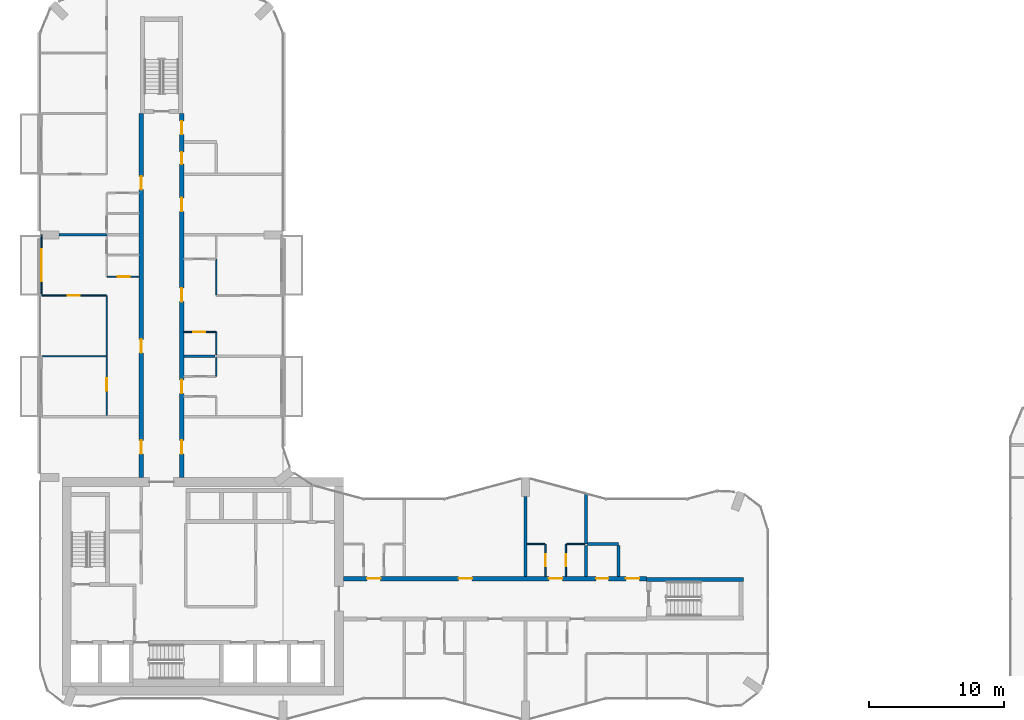
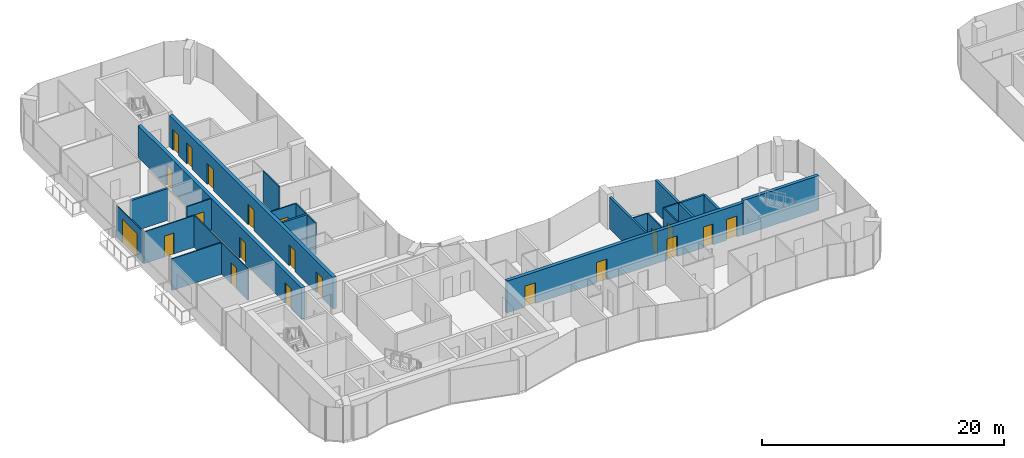
# One storey, part 13 of 19: 24 walls, 21 doors, 21 openings.
"""IFC4 building model written with IfcOpenShell, lengths in metres."""

from ifc_helpers import new_model, si_unit, direction, frame, frame_2d, origin, place, context, subcontext, project, spatial, rectangle, extrude, material, layer, layer_set, type_object, element, fill, save


model = new_model("IFC4")

# Units and contexts
model_context = context("Model", 3, precision=1e-05, world=origin(), true_north=direction((0.0, 1.0)))
body_context = subcontext(model_context, "Body", "Model", "MODEL_VIEW")
ifc_project = project(units=[si_unit("LENGTHUNIT", "METRE"), si_unit("AREAUNIT", "SQUARE_METRE"), si_unit("VOLUMEUNIT", "CUBIC_METRE"), si_unit("PLANEANGLEUNIT", "RADIAN"), si_unit("MASSUNIT", "GRAM", prefix="KILO")], contexts=[model_context])

# Site, building, storey
site_placement = place(None, origin())
site = spatial("IfcSite", under=ifc_project, at=site_placement, CompositionType="ELEMENT")
building_placement = place(site_placement, origin())
building = spatial("IfcBuilding", under=site, at=building_placement, Name="Plateau Cross Towers", CompositionType="ELEMENT")
storey_placement = place(building_placement, frame((0.0, 0.0, 120.300048828125)))
storey = spatial("IfcBuildingStorey", under=building, at=storey_placement, Name="L31", CompositionType="ELEMENT", Elevation=120.300048828125)

# Wall, opening, door
ifc_material_1 = material(Name="Aluminium framed glazing", Category="aluminium")
ifc_layer_1 = layer(ifc_material_1, 0.10009765625)
ifc_layer_set_1 = layer_set([ifc_layer_1], Name="Aluminium framed glazing")
wall_type_1 = type_object("IfcWallType", Name="Balcony screen wall 100", PredefinedType="STANDARD", material=ifc_layer_set_1)
wall_1_placement = place(storey_placement, frame((0.10009765625, 31.5, 0.0), z_axis=(0.0, 0.0, 1.0), x_axis=(0.0, 1.0, 0.0)))
wall_1 = element("IfcWall", 1, at=wall_1_placement, inside=storey, type_object=wall_type_1, Name="Balcony screen wall A-BAL-L31-02", PredefinedType="STANDARD", context=body_context, shape_type="SweptSolid", body=[
    extrude(rectangle(XDim=4.5, YDim=0.10009765625, at=frame_2d((2.25, 0.0))), origin(), (0.0, 0.0, 1.0), 3.199951171875),
])
opening_1_placement = place(wall_1_placement, frame((1.050048828125, 0.0, 0.0)))
opening_1 = element("IfcOpeningElement", 2, at=opening_1_placement, cuts=wall_1, Name="Opening D-B24", PredefinedType="OPENING", context=body_context, shape_type="SweptSolid", body=[
    extrude(rectangle(XDim=2.39990234375, YDim=2.39990234375, at=frame_2d((1.199951171875, 1.199951171875))), frame((0.0, 0.06005859375, 0.0), z_axis=(0.0, -1.0, 0.0), x_axis=(1.0, 0.0, 0.0)), (0.0, 0.0, 1.0), 0.1201171875),
])
ifc_material_2 = material(Name="Aluminium frame, double glazing", Category="aluminium")
door_type_1 = type_object("IfcDoorType", Name="Balcony sliding door 2400", OperationType="NOTDEFINED", PredefinedType="DOOR", material=ifc_material_2)
door_1_placement = place(opening_1_placement, origin())
door_1 = element("IfcDoor", 3, at=door_1_placement, inside=storey, type_object=door_type_1, Name="Balcony door A-BAL-L31-02", OperationType="SINGLE_SWING_LEFT", OverallHeight=2.39990234375, OverallWidth=2.39990234375, PredefinedType="DOOR", context=body_context, shape_type="SweptSolid", body=[
    extrude(rectangle(XDim=2.39990234375, YDim=2.39990234375, at=frame_2d((1.199951171875, 1.199951171875))), frame((0.0, 0.02490234375, 0.0), z_axis=(0.0, -1.0, 0.0), x_axis=(1.0, 0.0, 0.0)), (0.0, 0.0, 1.0), 0.050048828125),
])
fill(opening_1, door_1)

# Wall, openings, doors
ifc_material_3 = material(Name="Concrete C60/75", Category="concrete")
ifc_layer_2 = layer(ifc_material_3, 0.324951171875)
ifc_layer_set_2 = layer_set([ifc_layer_2], Name="Concrete C60/75")
wall_type_2 = type_object("IfcWallType", Name="Corridor wall 325", PredefinedType="SHEAR", material=ifc_layer_set_2)
wall_2_placement = place(storey_placement, frame((22.5, 10.5, 0.0), z_axis=(0.0, 0.0, 1.0), x_axis=(1.0, 0.0, 0.0)))
wall_2 = element("IfcWall", 4, at=wall_2_placement, inside=storey, type_object=wall_type_2, Name="A-cw-S2@L31", PredefinedType="SHEAR", context=body_context, shape_type="SweptSolid", body=[
    extrude(rectangle(XDim=22.5, YDim=0.324951171875, at=frame_2d((11.25, 0.0))), origin(), (0.0, 0.0, 1.0), 3.199951171875),
])
opening_2_placement = place(wall_2_placement, frame((1.75, 0.0, 0.0)))
opening_2 = element("IfcOpeningElement", 5, at=opening_2_placement, cuts=wall_2, Name="Opening 31-05", PredefinedType="OPENING", context=body_context, shape_type="SweptSolid", body=[
    extrude(rectangle(XDim=1.0, YDim=2.10009765625, at=frame_2d((0.5, 1.050048828125))), frame((0.0, 0.17236328125, 0.0), z_axis=(0.0, -1.0, 0.0), x_axis=(1.0, 0.0, 0.0)), (0.0, 0.0, 1.0), 0.344970703125),
])
opening_3_placement = place(wall_2_placement, frame((8.550048828125, 0.0, 0.0)))
opening_3 = element("IfcOpeningElement", 6, at=opening_3_placement, cuts=wall_2, Name="Opening 31-06", PredefinedType="OPENING", context=body_context, shape_type="SweptSolid", body=[
    extrude(rectangle(XDim=1.0, YDim=2.10009765625, at=frame_2d((0.5, 1.050048828125))), frame((0.0, 0.17236328125, 0.0), z_axis=(0.0, -1.0, 0.0), x_axis=(1.0, 0.0, 0.0)), (0.0, 0.0, 1.0), 0.344970703125),
])
opening_4_placement = place(wall_2_placement, frame((15.25, 0.0, 0.0)))
opening_4 = element("IfcOpeningElement", 7, at=opening_4_placement, cuts=wall_2, Name="Opening 31-07", PredefinedType="OPENING", context=body_context, shape_type="SweptSolid", body=[
    extrude(rectangle(XDim=1.0, YDim=2.10009765625, at=frame_2d((0.5, 1.050048828125))), frame((0.0, 0.17236328125, 0.0), z_axis=(0.0, -1.0, 0.0), x_axis=(1.0, 0.0, 0.0)), (0.0, 0.0, 1.0), 0.344970703125),
])
opening_5_placement = place(wall_2_placement, frame((18.75, 0.0, 0.0)))
opening_5 = element("IfcOpeningElement", 8, at=opening_5_placement, cuts=wall_2, Name="Opening 31-08", PredefinedType="OPENING", context=body_context, shape_type="SweptSolid", body=[
    extrude(rectangle(XDim=0.89990234375, YDim=2.10009765625, at=frame_2d((0.449951171875, 1.050048828125))), frame((0.0, 0.17236328125, 0.0), z_axis=(0.0, -1.0, 0.0), x_axis=(1.0, 0.0, 0.0)), (0.0, 0.0, 1.0), 0.344970703125),
])
opening_6_placement = place(wall_2_placement, frame((20.949951171875, 0.0, 0.0)))
opening_6 = element("IfcOpeningElement", 9, at=opening_6_placement, cuts=wall_2, Name="Opening 31-09", PredefinedType="OPENING", context=body_context, shape_type="SweptSolid", body=[
    extrude(rectangle(XDim=1.0, YDim=2.10009765625, at=frame_2d((0.5, 1.050048828125))), frame((0.0, 0.17236328125, 0.0), z_axis=(0.0, -1.0, 0.0), x_axis=(1.0, 0.0, 0.0)), (0.0, 0.0, 1.0), 0.344970703125),
])
ifc_material_4 = material(Name="Timber, fire-resisting leaf", Category="wood")
door_type_2 = type_object("IfcDoorType", Name="Flat entrance door 1000", OperationType="NOTDEFINED", PredefinedType="DOOR", material=ifc_material_4)
door_2_placement = place(opening_2_placement, origin())
door_2 = element("IfcDoor", 10, at=door_2_placement, inside=storey, type_object=door_type_2, Name="Door 31-05", OperationType="SINGLE_SWING_LEFT", OverallHeight=2.10009765625, OverallWidth=1.0, PredefinedType="DOOR", context=body_context, shape_type="SweptSolid", body=[
    extrude(rectangle(XDim=1.0, YDim=2.10009765625, at=frame_2d((0.5, 1.050048828125))), frame((0.0, 0.02490234375, 0.0), z_axis=(0.0, -1.0, 0.0), x_axis=(1.0, 0.0, 0.0)), (0.0, 0.0, 1.0), 0.050048828125),
])
fill(opening_2, door_2)
door_3_placement = place(opening_3_placement, origin())
door_3 = element("IfcDoor", 11, at=door_3_placement, inside=storey, type_object=door_type_2, Name="Door 31-06", OperationType="SINGLE_SWING_LEFT", OverallHeight=2.10009765625, OverallWidth=1.0, PredefinedType="DOOR", context=body_context, shape_type="SweptSolid", body=[
    extrude(rectangle(XDim=1.0, YDim=2.10009765625, at=frame_2d((0.5, 1.050048828125))), frame((0.0, 0.02490234375, 0.0), z_axis=(0.0, -1.0, 0.0), x_axis=(1.0, 0.0, 0.0)), (0.0, 0.0, 1.0), 0.050048828125),
])
fill(opening_3, door_3)
door_4_placement = place(opening_4_placement, origin())
door_4 = element("IfcDoor", 12, at=door_4_placement, inside=storey, type_object=door_type_2, Name="Door 31-07", OperationType="SINGLE_SWING_RIGHT", OverallHeight=2.10009765625, OverallWidth=1.0, PredefinedType="DOOR", context=body_context, shape_type="SweptSolid", body=[
    extrude(rectangle(XDim=1.0, YDim=2.10009765625, at=frame_2d((0.5, 1.050048828125))), frame((0.0, 0.02490234375, 0.0), z_axis=(0.0, -1.0, 0.0), x_axis=(1.0, 0.0, 0.0)), (0.0, 0.0, 1.0), 0.050048828125),
])
fill(opening_4, door_4)
door_5_placement = place(opening_6_placement, origin())
door_5 = element("IfcDoor", 13, at=door_5_placement, inside=storey, type_object=door_type_2, Name="Door 31-09", OperationType="SINGLE_SWING_RIGHT", OverallHeight=2.10009765625, OverallWidth=1.0, PredefinedType="DOOR", context=body_context, shape_type="SweptSolid", body=[
    extrude(rectangle(XDim=1.0, YDim=2.10009765625, at=frame_2d((0.5, 1.050048828125))), frame((0.0, 0.02490234375, 0.0), z_axis=(0.0, -1.0, 0.0), x_axis=(1.0, 0.0, 0.0)), (0.0, 0.0, 1.0), 0.050048828125),
])
fill(opening_6, door_5)
door_type_3 = type_object("IfcDoorType", Name="Flat floor service door 900", OperationType="NOTDEFINED", PredefinedType="DOOR", material=ifc_material_4)
door_6_placement = place(opening_5_placement, origin())
door_6 = element("IfcDoor", 14, at=door_6_placement, inside=storey, type_object=door_type_3, Name="Door 31-08", OperationType="SINGLE_SWING_RIGHT", OverallHeight=2.10009765625, OverallWidth=0.89990234375, PredefinedType="DOOR", context=body_context, shape_type="SweptSolid", body=[
    extrude(rectangle(XDim=0.89990234375, YDim=2.10009765625, at=frame_2d((0.449951171875, 1.050048828125))), frame((0.0, 0.02490234375, 0.0), z_axis=(0.0, -1.0, 0.0), x_axis=(1.0, 0.0, 0.0)), (0.0, 0.0, 1.0), 0.050048828125),
])
fill(opening_5, door_6)

wall_3_placement = place(storey_placement, frame((7.5, 18.0, 0.0), z_axis=(0.0, 0.0, 1.0), x_axis=(0.0, 1.0, 0.0)))
wall_3 = element("IfcWall", 15, at=wall_3_placement, inside=storey, type_object=wall_type_2, Name="A-cw-W1@L31", PredefinedType="SHEAR", context=body_context, shape_type="SweptSolid", body=[
    extrude(rectangle(XDim=27.0, YDim=0.324951171875, at=frame_2d((13.5, 0.0))), origin(), (0.0, 0.0, 1.0), 3.199951171875),
])
opening_7_placement = place(wall_3_placement, frame((1.75, 0.0, 0.0)))
opening_7 = element("IfcOpeningElement", 16, at=opening_7_placement, cuts=wall_3, Name="Opening 31-10", PredefinedType="OPENING", context=body_context, shape_type="SweptSolid", body=[
    extrude(rectangle(XDim=1.0, YDim=2.10009765625, at=frame_2d((0.5, 1.050048828125))), frame((0.0, 0.17236328125, 0.0), z_axis=(0.0, -1.0, 0.0), x_axis=(1.0, 0.0, 0.0)), (0.0, 0.0, 1.0), 0.344970703125),
])
opening_8_placement = place(wall_3_placement, frame((9.25, 0.0, 0.0)))
opening_8 = element("IfcOpeningElement", 17, at=opening_8_placement, cuts=wall_3, Name="Opening 31-11", PredefinedType="OPENING", context=body_context, shape_type="SweptSolid", body=[
    extrude(rectangle(XDim=1.0, YDim=2.10009765625, at=frame_2d((0.5, 1.050048828125))), frame((0.0, 0.17236328125, 0.0), z_axis=(0.0, -1.0, 0.0), x_axis=(1.0, 0.0, 0.0)), (0.0, 0.0, 1.0), 0.344970703125),
])
opening_9_placement = place(wall_3_placement, frame((21.35009765625, 0.0, 0.0)))
opening_9 = element("IfcOpeningElement", 18, at=opening_9_placement, cuts=wall_3, Name="Opening 31-12", PredefinedType="OPENING", context=body_context, shape_type="SweptSolid", body=[
    extrude(rectangle(XDim=1.0, YDim=2.10009765625, at=frame_2d((0.5, 1.050048828125))), frame((0.0, 0.17236328125, 0.0), z_axis=(0.0, -1.0, 0.0), x_axis=(1.0, 0.0, 0.0)), (0.0, 0.0, 1.0), 0.344970703125),
])
door_7_placement = place(opening_7_placement, origin())
door_7 = element("IfcDoor", 19, at=door_7_placement, inside=storey, type_object=door_type_2, Name="Door 31-10", OperationType="SINGLE_SWING_LEFT", OverallHeight=2.10009765625, OverallWidth=1.0, PredefinedType="DOOR", context=body_context, shape_type="SweptSolid", body=[
    extrude(rectangle(XDim=1.0, YDim=2.10009765625, at=frame_2d((0.5, 1.050048828125))), frame((0.0, 0.02490234375, 0.0), z_axis=(0.0, -1.0, 0.0), x_axis=(1.0, 0.0, 0.0)), (0.0, 0.0, 1.0), 0.050048828125),
])
fill(opening_7, door_7)
door_8_placement = place(opening_8_placement, origin())
door_8 = element("IfcDoor", 20, at=door_8_placement, inside=storey, type_object=door_type_2, Name="Door 31-11", OperationType="SINGLE_SWING_LEFT", OverallHeight=2.10009765625, OverallWidth=1.0, PredefinedType="DOOR", context=body_context, shape_type="SweptSolid", body=[
    extrude(rectangle(XDim=1.0, YDim=2.10009765625, at=frame_2d((0.5, 1.050048828125))), frame((0.0, 0.02490234375, 0.0), z_axis=(0.0, -1.0, 0.0), x_axis=(1.0, 0.0, 0.0)), (0.0, 0.0, 1.0), 0.050048828125),
])
fill(opening_8, door_8)
door_9_placement = place(opening_9_placement, origin())
door_9 = element("IfcDoor", 21, at=door_9_placement, inside=storey, type_object=door_type_2, Name="Door 31-12", OperationType="SINGLE_SWING_RIGHT", OverallHeight=2.10009765625, OverallWidth=1.0, PredefinedType="DOOR", context=body_context, shape_type="SweptSolid", body=[
    extrude(rectangle(XDim=1.0, YDim=2.10009765625, at=frame_2d((0.5, 1.050048828125))), frame((0.0, 0.02490234375, 0.0), z_axis=(0.0, -1.0, 0.0), x_axis=(1.0, 0.0, 0.0)), (0.0, 0.0, 1.0), 0.050048828125),
])
fill(opening_9, door_9)

wall_4_placement = place(storey_placement, frame((10.5, 18.0, 0.0), z_axis=(0.0, 0.0, 1.0), x_axis=(0.0, 1.0, 0.0)))
wall_4 = element("IfcWall", 22, at=wall_4_placement, inside=storey, type_object=wall_type_2, Name="A-cw-W2@L31", PredefinedType="SHEAR", context=body_context, shape_type="SweptSolid", body=[
    extrude(rectangle(XDim=27.0, YDim=0.324951171875, at=frame_2d((13.5, 0.0))), origin(), (0.0, 0.0, 1.0), 3.199951171875),
])
opening_10_placement = place(wall_4_placement, frame((1.75, 0.0, 0.0)))
opening_10 = element("IfcOpeningElement", 23, at=opening_10_placement, cuts=wall_4, Name="Opening 31-13", PredefinedType="OPENING", context=body_context, shape_type="SweptSolid", body=[
    extrude(rectangle(XDim=1.0, YDim=2.10009765625, at=frame_2d((0.5, 1.050048828125))), frame((0.0, 0.17236328125, 0.0), z_axis=(0.0, -1.0, 0.0), x_axis=(1.0, 0.0, 0.0)), (0.0, 0.0, 1.0), 0.344970703125),
])
opening_11_placement = place(wall_4_placement, frame((6.25, 0.0, 0.0)))
opening_11 = element("IfcOpeningElement", 24, at=opening_11_placement, cuts=wall_4, Name="Opening 31-14", PredefinedType="OPENING", context=body_context, shape_type="SweptSolid", body=[
    extrude(rectangle(XDim=1.0, YDim=2.10009765625, at=frame_2d((0.5, 1.050048828125))), frame((0.0, 0.17236328125, 0.0), z_axis=(0.0, -1.0, 0.0), x_axis=(1.0, 0.0, 0.0)), (0.0, 0.0, 1.0), 0.344970703125),
])
opening_12_placement = place(wall_4_placement, frame((13.050048828125, 0.0, 0.0)))
opening_12 = element("IfcOpeningElement", 25, at=opening_12_placement, cuts=wall_4, Name="Opening 31-15", PredefinedType="OPENING", context=body_context, shape_type="SweptSolid", body=[
    extrude(rectangle(XDim=1.0, YDim=2.10009765625, at=frame_2d((0.5, 1.050048828125))), frame((0.0, 0.17236328125, 0.0), z_axis=(0.0, -1.0, 0.0), x_axis=(1.0, 0.0, 0.0)), (0.0, 0.0, 1.0), 0.344970703125),
])
opening_13_placement = place(wall_4_placement, frame((19.75, 0.0, 0.0)))
opening_13 = element("IfcOpeningElement", 26, at=opening_13_placement, cuts=wall_4, Name="Opening 31-16", PredefinedType="OPENING", context=body_context, shape_type="SweptSolid", body=[
    extrude(rectangle(XDim=1.0, YDim=2.10009765625, at=frame_2d((0.5, 1.050048828125))), frame((0.0, 0.17236328125, 0.0), z_axis=(0.0, -1.0, 0.0), x_axis=(1.0, 0.0, 0.0)), (0.0, 0.0, 1.0), 0.344970703125),
])
opening_14_placement = place(wall_4_placement, frame((23.25, 0.0, 0.0)))
opening_14 = element("IfcOpeningElement", 27, at=opening_14_placement, cuts=wall_4, Name="Opening 31-17", PredefinedType="OPENING", context=body_context, shape_type="SweptSolid", body=[
    extrude(rectangle(XDim=0.89990234375, YDim=2.10009765625, at=frame_2d((0.449951171875, 1.050048828125))), frame((0.0, 0.17236328125, 0.0), z_axis=(0.0, -1.0, 0.0), x_axis=(1.0, 0.0, 0.0)), (0.0, 0.0, 1.0), 0.344970703125),
])
opening_15_placement = place(wall_4_placement, frame((25.449951171875, 0.0, 0.0)))
opening_15 = element("IfcOpeningElement", 28, at=opening_15_placement, cuts=wall_4, Name="Opening 31-18", PredefinedType="OPENING", context=body_context, shape_type="SweptSolid", body=[
    extrude(rectangle(XDim=1.0, YDim=2.10009765625, at=frame_2d((0.5, 1.050048828125))), frame((0.0, 0.17236328125, 0.0), z_axis=(0.0, -1.0, 0.0), x_axis=(1.0, 0.0, 0.0)), (0.0, 0.0, 1.0), 0.344970703125),
])
door_10_placement = place(opening_10_placement, origin())
door_10 = element("IfcDoor", 29, at=door_10_placement, inside=storey, type_object=door_type_2, Name="Door 31-13", OperationType="SINGLE_SWING_LEFT", OverallHeight=2.10009765625, OverallWidth=1.0, PredefinedType="DOOR", context=body_context, shape_type="SweptSolid", body=[
    extrude(rectangle(XDim=1.0, YDim=2.10009765625, at=frame_2d((0.5, 1.050048828125))), frame((0.0, 0.02490234375, 0.0), z_axis=(0.0, -1.0, 0.0), x_axis=(1.0, 0.0, 0.0)), (0.0, 0.0, 1.0), 0.050048828125),
])
fill(opening_10, door_10)
door_11_placement = place(opening_11_placement, origin())
door_11 = element("IfcDoor", 30, at=door_11_placement, inside=storey, type_object=door_type_2, Name="Door 31-14", OperationType="SINGLE_SWING_LEFT", OverallHeight=2.10009765625, OverallWidth=1.0, PredefinedType="DOOR", context=body_context, shape_type="SweptSolid", body=[
    extrude(rectangle(XDim=1.0, YDim=2.10009765625, at=frame_2d((0.5, 1.050048828125))), frame((0.0, 0.02490234375, 0.0), z_axis=(0.0, -1.0, 0.0), x_axis=(1.0, 0.0, 0.0)), (0.0, 0.0, 1.0), 0.050048828125),
])
fill(opening_11, door_11)
door_12_placement = place(opening_12_placement, origin())
door_12 = element("IfcDoor", 31, at=door_12_placement, inside=storey, type_object=door_type_2, Name="Door 31-15", OperationType="SINGLE_SWING_RIGHT", OverallHeight=2.10009765625, OverallWidth=1.0, PredefinedType="DOOR", context=body_context, shape_type="SweptSolid", body=[
    extrude(rectangle(XDim=1.0, YDim=2.10009765625, at=frame_2d((0.5, 1.050048828125))), frame((0.0, 0.02490234375, 0.0), z_axis=(0.0, -1.0, 0.0), x_axis=(1.0, 0.0, 0.0)), (0.0, 0.0, 1.0), 0.050048828125),
])
fill(opening_12, door_12)
door_13_placement = place(opening_13_placement, origin())
door_13 = element("IfcDoor", 32, at=door_13_placement, inside=storey, type_object=door_type_2, Name="Door 31-16", OperationType="SINGLE_SWING_RIGHT", OverallHeight=2.10009765625, OverallWidth=1.0, PredefinedType="DOOR", context=body_context, shape_type="SweptSolid", body=[
    extrude(rectangle(XDim=1.0, YDim=2.10009765625, at=frame_2d((0.5, 1.050048828125))), frame((0.0, 0.02490234375, 0.0), z_axis=(0.0, -1.0, 0.0), x_axis=(1.0, 0.0, 0.0)), (0.0, 0.0, 1.0), 0.050048828125),
])
fill(opening_13, door_13)
door_14_placement = place(opening_15_placement, origin())
door_14 = element("IfcDoor", 33, at=door_14_placement, inside=storey, type_object=door_type_2, Name="Door 31-18", OperationType="SINGLE_SWING_RIGHT", OverallHeight=2.10009765625, OverallWidth=1.0, PredefinedType="DOOR", context=body_context, shape_type="SweptSolid", body=[
    extrude(rectangle(XDim=1.0, YDim=2.10009765625, at=frame_2d((0.5, 1.050048828125))), frame((0.0, 0.02490234375, 0.0), z_axis=(0.0, -1.0, 0.0), x_axis=(1.0, 0.0, 0.0)), (0.0, 0.0, 1.0), 0.050048828125),
])
fill(opening_15, door_14)
door_15_placement = place(opening_14_placement, origin())
door_15 = element("IfcDoor", 34, at=door_15_placement, inside=storey, type_object=door_type_3, Name="Door 31-17", OperationType="SINGLE_SWING_RIGHT", OverallHeight=2.10009765625, OverallWidth=0.89990234375, PredefinedType="DOOR", context=body_context, shape_type="SweptSolid", body=[
    extrude(rectangle(XDim=0.89990234375, YDim=2.10009765625, at=frame_2d((0.449951171875, 1.050048828125))), frame((0.0, 0.02490234375, 0.0), z_axis=(0.0, -1.0, 0.0), x_axis=(1.0, 0.0, 0.0)), (0.0, 0.0, 1.0), 0.050048828125),
])
fill(opening_14, door_15)

# Walls
ifc_material_5 = material(Name="Gypsum board on steel studs", Category="steel")
ifc_layer_3 = layer(ifc_material_5, 0.10009765625)
ifc_layer_set_3 = layer_set([ifc_layer_3], Name="Gypsum board on steel studs")
wall_type_3 = type_object("IfcWallType", Name="Flat partition 100", PredefinedType="PARTITIONING", material=ifc_layer_set_3)
for number, where, z_axis, x_axis, name in (
    (35, (37.449951171875, 13.0625, 0.0), (0.0, 0.0, 1.0), (-1.0, 0.0, 0.0), "Partition wall"),
    (36, (40.39990234375, 13.0625, 0.0), (0.0, 0.0, 1.0), (-1.0, 0.0, 0.0), "Partition wall"),
):
    element("IfcWall", number, at=place(storey_placement, frame(where, z_axis=z_axis, x_axis=x_axis)), inside=storey, type_object=wall_type_3, Name=name, PredefinedType="PARTITIONING", context=body_context, shape_type="SweptSolid", body=[
        extrude(rectangle(XDim=1.349853515625, YDim=0.10009765625, at=frame_2d((0.6748046875, 0.0))), origin(), (0.0, 0.0, 1.0), 3.199951171875),
    ])
wall_5_placement = place(storey_placement, frame((4.887451171875, 27.0, 0.0), z_axis=(0.0, 0.0, 1.0), x_axis=(-1.0, 0.0, 0.0)))
element("IfcWall", 37, at=wall_5_placement, inside=storey, type_object=wall_type_3, Name="Partition wall", PredefinedType="PARTITIONING", context=body_context, shape_type="SweptSolid", body=[
    extrude(rectangle(XDim=4.737548828125, YDim=0.10009765625, at=frame_2d((2.36865234375, 0.0))), origin(), (0.0, 0.0, 1.0), 3.199951171875),
])

# Wall, opening, door
wall_6_placement = place(storey_placement, frame((13.012451171875, 28.800048828125, 0.0), z_axis=(0.0, 0.0, 1.0), x_axis=(-1.0, 0.0, 0.0)))
wall_6 = element("IfcWall", 38, at=wall_6_placement, inside=storey, type_object=wall_type_3, Name="Partition wall", PredefinedType="PARTITIONING", context=body_context, shape_type="SweptSolid", body=[
    extrude(rectangle(XDim=2.349853515625, YDim=0.10009765625, at=frame_2d((1.1748046875, 0.0))), origin(), (0.0, 0.0, 1.0), 3.199951171875),
])
opening_16_placement = place(wall_6_placement, frame((0.75, 0.0, 0.0)))
opening_16 = element("IfcOpeningElement", 39, at=opening_16_placement, cuts=wall_6, Name="Opening 31-41", PredefinedType="OPENING", context=body_context, shape_type="SweptSolid", body=[
    extrude(rectangle(XDim=0.89990234375, YDim=2.10009765625, at=frame_2d((0.449951171875, 1.050048828125))), frame((0.0, 0.06005859375, 0.0), z_axis=(0.0, -1.0, 0.0), x_axis=(1.0, 0.0, 0.0)), (0.0, 0.0, 1.0), 0.1201171875),
])
ifc_material_6 = material(Name="Timber leaf", Category="wood")
door_type_4 = type_object("IfcDoorType", Name="Flat room door 900", OperationType="NOTDEFINED", PredefinedType="DOOR", material=ifc_material_6)
door_16_placement = place(opening_16_placement, origin())
door_16 = element("IfcDoor", 40, at=door_16_placement, inside=storey, type_object=door_type_4, Name="Door 31-41", OperationType="SINGLE_SWING_RIGHT", OverallHeight=2.10009765625, OverallWidth=0.89990234375, PredefinedType="DOOR", context=body_context, shape_type="SweptSolid", body=[
    extrude(rectangle(XDim=0.89990234375, YDim=2.10009765625, at=frame_2d((0.449951171875, 1.050048828125))), frame((0.0, 0.02490234375, 0.0), z_axis=(0.0, -1.0, 0.0), x_axis=(1.0, 0.0, 0.0)), (0.0, 0.0, 1.0), 0.050048828125),
])
fill(opening_16, door_16)

wall_7_placement = place(storey_placement, frame((4.887451171875, 31.5, 0.0), z_axis=(0.0, 0.0, 1.0), x_axis=(-1.0, 0.0, 0.0)))
wall_7 = element("IfcWall", 41, at=wall_7_placement, inside=storey, type_object=wall_type_3, Name="Partition wall", PredefinedType="PARTITIONING", context=body_context, shape_type="SweptSolid", body=[
    extrude(rectangle(XDim=4.737548828125, YDim=0.10009765625, at=frame_2d((2.36865234375, 0.0))), origin(), (0.0, 0.0, 1.0), 3.199951171875),
])
opening_17_placement = place(wall_7_placement, frame((1.949951171875, 0.0, 0.0)))
opening_17 = element("IfcOpeningElement", 42, at=opening_17_placement, cuts=wall_7, Name="Opening 31-33", PredefinedType="OPENING", context=body_context, shape_type="SweptSolid", body=[
    extrude(rectangle(XDim=0.89990234375, YDim=2.10009765625, at=frame_2d((0.449951171875, 1.050048828125))), frame((0.0, 0.06005859375, 0.0), z_axis=(0.0, -1.0, 0.0), x_axis=(1.0, 0.0, 0.0)), (0.0, 0.0, 1.0), 0.1201171875),
])
door_17_placement = place(opening_17_placement, origin())
door_17 = element("IfcDoor", 43, at=door_17_placement, inside=storey, type_object=door_type_4, Name="Door 31-33", OperationType="SINGLE_SWING_RIGHT", OverallHeight=2.10009765625, OverallWidth=0.89990234375, PredefinedType="DOOR", context=body_context, shape_type="SweptSolid", body=[
    extrude(rectangle(XDim=0.89990234375, YDim=2.10009765625, at=frame_2d((0.449951171875, 1.050048828125))), frame((0.0, 0.02490234375, 0.0), z_axis=(0.0, -1.0, 0.0), x_axis=(1.0, 0.0, 0.0)), (0.0, 0.0, 1.0), 0.050048828125),
])
fill(opening_17, door_17)

wall_8_placement = place(storey_placement, frame((4.987548828125, 32.89990234375, 0.0), z_axis=(0.0, 0.0, 1.0), x_axis=(1.0, 0.0, 0.0)))
wall_8 = element("IfcWall", 44, at=wall_8_placement, inside=storey, type_object=wall_type_3, Name="Partition wall", PredefinedType="PARTITIONING", context=body_context, shape_type="SweptSolid", body=[
    extrude(rectangle(XDim=2.349853515625, YDim=0.10009765625, at=frame_2d((1.1748046875, 0.0))), origin(), (0.0, 0.0, 1.0), 3.199951171875),
])
opening_18_placement = place(wall_8_placement, frame((0.75, 0.0, 0.0)))
opening_18 = element("IfcOpeningElement", 45, at=opening_18_placement, cuts=wall_8, Name="Opening 31-30", PredefinedType="OPENING", context=body_context, shape_type="SweptSolid", body=[
    extrude(rectangle(XDim=0.89990234375, YDim=2.10009765625, at=frame_2d((0.449951171875, 1.050048828125))), frame((0.0, 0.06005859375, 0.0), z_axis=(0.0, -1.0, 0.0), x_axis=(1.0, 0.0, 0.0)), (0.0, 0.0, 1.0), 0.1201171875),
])
door_18_placement = place(opening_18_placement, origin())
door_18 = element("IfcDoor", 46, at=door_18_placement, inside=storey, type_object=door_type_4, Name="Door 31-30", OperationType="SINGLE_SWING_RIGHT", OverallHeight=2.10009765625, OverallWidth=0.89990234375, PredefinedType="DOOR", context=body_context, shape_type="SweptSolid", body=[
    extrude(rectangle(XDim=0.89990234375, YDim=2.10009765625, at=frame_2d((0.449951171875, 1.050048828125))), frame((0.0, 0.02490234375, 0.0), z_axis=(0.0, -1.0, 0.0), x_axis=(1.0, 0.0, 0.0)), (0.0, 0.0, 1.0), 0.050048828125),
])
fill(opening_18, door_18)

wall_9_placement = place(storey_placement, frame((4.9375, 22.60009765625, 0.0), z_axis=(0.0, 0.0, 1.0), x_axis=(0.0, 1.0, 0.0)))
wall_9 = element("IfcWall", 47, at=wall_9_placement, inside=storey, type_object=wall_type_3, Name="Partition wall", PredefinedType="PARTITIONING", context=body_context, shape_type="SweptSolid", body=[
    extrude(rectangle(XDim=8.89990234375, YDim=0.10009765625, at=frame_2d((4.449951171875, 0.0))), origin(), (0.0, 0.0, 1.0), 3.199951171875),
])
opening_19_placement = place(wall_9_placement, frame((1.85009765625, 0.0, 0.0)))
opening_19 = element("IfcOpeningElement", 48, at=opening_19_placement, cuts=wall_9, Name="Opening 31-32", PredefinedType="OPENING", context=body_context, shape_type="SweptSolid", body=[
    extrude(rectangle(XDim=0.89990234375, YDim=2.10009765625, at=frame_2d((0.449951171875, 1.050048828125))), frame((0.0, 0.06005859375, 0.0), z_axis=(0.0, -1.0, 0.0), x_axis=(1.0, 0.0, 0.0)), (0.0, 0.0, 1.0), 0.1201171875),
])
door_19_placement = place(opening_19_placement, origin())
door_19 = element("IfcDoor", 49, at=door_19_placement, inside=storey, type_object=door_type_4, Name="Door 31-32", OperationType="SINGLE_SWING_LEFT", OverallHeight=2.10009765625, OverallWidth=0.89990234375, PredefinedType="DOOR", context=body_context, shape_type="SweptSolid", body=[
    extrude(rectangle(XDim=0.89990234375, YDim=2.10009765625, at=frame_2d((0.449951171875, 1.050048828125))), frame((0.0, 0.02490234375, 0.0), z_axis=(0.0, -1.0, 0.0), x_axis=(1.0, 0.0, 0.0)), (0.0, 0.0, 1.0), 0.050048828125),
])
fill(opening_19, door_19)

# Walls
wall_10_placement = place(storey_placement, frame((13.0625, 34.199951171875, 0.0), z_axis=(0.0, 0.0, 1.0), x_axis=(0.0, -1.0, 0.0)))
element("IfcWall", 50, at=wall_10_placement, inside=storey, type_object=wall_type_3, Name="Partition wall", PredefinedType="PARTITIONING", context=body_context, shape_type="SweptSolid", body=[
    extrude(rectangle(XDim=2.64990234375, YDim=0.10009765625, at=frame_2d((1.324951171875, 0.0))), origin(), (0.0, 0.0, 1.0), 3.199951171875),
])
wall_11_placement = place(storey_placement, frame((13.0625, 25.5, 0.0), z_axis=(0.0, 0.0, 1.0), x_axis=(0.0, 1.0, 0.0)))
element("IfcWall", 51, at=wall_11_placement, inside=storey, type_object=wall_type_3, Name="Partition wall", PredefinedType="PARTITIONING", context=body_context, shape_type="SweptSolid", body=[
    extrude(rectangle(XDim=1.39990234375, YDim=0.10009765625, at=frame_2d((0.699951171875, 0.0))), origin(), (0.0, 0.0, 1.0), 3.199951171875),
])
wall_12_placement = place(storey_placement, frame((13.0625, 27.10009765625, 0.0), z_axis=(0.0, 0.0, 1.0), x_axis=(0.0, 1.0, 0.0)))
element("IfcWall", 52, at=wall_12_placement, inside=storey, type_object=wall_type_3, Name="Partition wall", PredefinedType="PARTITIONING", context=body_context, shape_type="SweptSolid", body=[
    extrude(rectangle(XDim=1.699951171875, YDim=0.10009765625, at=frame_2d((0.85009765625, 0.0))), origin(), (0.0, 0.0, 1.0), 3.199951171875),
])

# Wall, opening, door
wall_13_placement = place(storey_placement, frame((37.5, 10.66259765625, 0.0), z_axis=(0.0, 0.0, 1.0), x_axis=(0.0, 1.0, 0.0)))
wall_13 = element("IfcWall", 53, at=wall_13_placement, inside=storey, type_object=wall_type_3, Name="Partition wall", PredefinedType="PARTITIONING", context=body_context, shape_type="SweptSolid", body=[
    extrude(rectangle(XDim=2.39990234375, YDim=0.10009765625, at=frame_2d((1.199951171875, 0.0))), origin(), (0.0, 0.0, 1.0), 3.199951171875),
])
opening_20_placement = place(wall_13_placement, frame((0.75, 0.0, 0.0)))
opening_20 = element("IfcOpeningElement", 54, at=opening_20_placement, cuts=wall_13, Name="Opening 31-28", PredefinedType="OPENING", context=body_context, shape_type="SweptSolid", body=[
    extrude(rectangle(XDim=0.89990234375, YDim=2.10009765625, at=frame_2d((0.449951171875, 1.050048828125))), frame((0.0, 0.06005859375, 0.0), z_axis=(0.0, -1.0, 0.0), x_axis=(1.0, 0.0, 0.0)), (0.0, 0.0, 1.0), 0.1201171875),
])
door_20_placement = place(opening_20_placement, origin())
door_20 = element("IfcDoor", 55, at=door_20_placement, inside=storey, type_object=door_type_4, Name="Door 31-28", OperationType="SINGLE_SWING_LEFT", OverallHeight=2.10009765625, OverallWidth=0.89990234375, PredefinedType="DOOR", context=body_context, shape_type="SweptSolid", body=[
    extrude(rectangle(XDim=0.89990234375, YDim=2.10009765625, at=frame_2d((0.449951171875, 1.050048828125))), frame((0.0, 0.02490234375, 0.0), z_axis=(0.0, -1.0, 0.0), x_axis=(1.0, 0.0, 0.0)), (0.0, 0.0, 1.0), 0.050048828125),
])
fill(opening_20, door_20)

wall_14_placement = place(storey_placement, frame((39.0, 13.0625, 0.0), z_axis=(0.0, 0.0, 1.0), x_axis=(0.0, -1.0, 0.0)))
wall_14 = element("IfcWall", 56, at=wall_14_placement, inside=storey, type_object=wall_type_3, Name="Partition wall", PredefinedType="PARTITIONING", context=body_context, shape_type="SweptSolid", body=[
    extrude(rectangle(XDim=2.39990234375, YDim=0.10009765625, at=frame_2d((1.199951171875, 0.0))), origin(), (0.0, 0.0, 1.0), 3.199951171875),
])
opening_21_placement = place(wall_14_placement, frame((0.75, 0.0, 0.0)))
opening_21 = element("IfcOpeningElement", 57, at=opening_21_placement, cuts=wall_14, Name="Opening 31-29", PredefinedType="OPENING", context=body_context, shape_type="SweptSolid", body=[
    extrude(rectangle(XDim=0.89990234375, YDim=2.10009765625, at=frame_2d((0.449951171875, 1.050048828125))), frame((0.0, 0.06005859375, 0.0), z_axis=(0.0, -1.0, 0.0), x_axis=(1.0, 0.0, 0.0)), (0.0, 0.0, 1.0), 0.1201171875),
])
door_21_placement = place(opening_21_placement, origin())
door_21 = element("IfcDoor", 58, at=door_21_placement, inside=storey, type_object=door_type_4, Name="Door 31-29", OperationType="SINGLE_SWING_LEFT", OverallHeight=2.10009765625, OverallWidth=0.89990234375, PredefinedType="DOOR", context=body_context, shape_type="SweptSolid", body=[
    extrude(rectangle(XDim=0.89990234375, YDim=2.10009765625, at=frame_2d((0.449951171875, 1.050048828125))), frame((0.0, 0.02490234375, 0.0), z_axis=(0.0, -1.0, 0.0), x_axis=(1.0, 0.0, 0.0)), (0.0, 0.0, 1.0), 0.050048828125),
])
fill(opening_21, door_21)

# Walls
ifc_material_7 = material(Name="Gypsum board on steel studs, two layers each side", Category="steel")
ifc_layer_4 = layer(ifc_material_7, 0.199951171875)
ifc_layer_set_4 = layer_set([ifc_layer_4], Name="Gypsum board on steel studs, two layers each side")
wall_type_4 = type_object("IfcWallType", Name="Flat party wall 200", PredefinedType="PARTITIONING", material=ifc_layer_set_4)
for number, where, z_axis, x_axis, name in (
    (59, (42.89990234375, 13.0625, 0.0), (0.0, 0.0, 1.0), (-1.0, 0.0, 0.0), "Party wall"),
    (60, (12.96240234375, 27.0, 0.0), (0.0, 0.0, 1.0), (-1.0, 0.0, 0.0), "Party wall"),
):
    element("IfcWall", number, at=place(storey_placement, frame(where, z_axis=z_axis, x_axis=x_axis)), inside=storey, type_object=wall_type_4, Name=name, PredefinedType="PARTITIONING", context=body_context, shape_type="SweptSolid", body=[
        extrude(rectangle(XDim=2.2998046875, YDim=0.199951171875, at=frame_2d((1.14990234375, 0.0))), origin(), (0.0, 0.0, 1.0), 3.199951171875),
    ])
wall_15_placement = place(storey_placement, frame((1.39990234375, 36.0, 0.0), z_axis=(0.0, 0.0, 1.0), x_axis=(1.0, 0.0, 0.0)))
element("IfcWall", 61, at=wall_15_placement, inside=storey, type_object=wall_type_4, Name="Party wall", PredefinedType="PARTITIONING", context=body_context, shape_type="SweptSolid", body=[
    extrude(rectangle(XDim=3.53759765625, YDim=0.199951171875, at=frame_2d((1.768798828125, 0.0))), origin(), (0.0, 0.0, 1.0), 3.199951171875),
])
wall_16_placement = place(storey_placement, frame((36.0, 10.66259765625, 0.0), z_axis=(0.0, 0.0, 1.0), x_axis=(0.0, 1.0, 0.0)))
element("IfcWall", 62, at=wall_16_placement, inside=storey, type_object=wall_type_4, Name="Party wall", PredefinedType="PARTITIONING", context=body_context, shape_type="SweptSolid", body=[
    extrude(rectangle(XDim=5.9375, YDim=0.199951171875, at=frame_2d((2.96875, 0.0))), origin(), (0.0, 0.0, 1.0), 3.199951171875),
])
wall_17_placement = place(storey_placement, frame((40.5, 16.877685546875, 0.0), z_axis=(0.0, 0.0, 1.0), x_axis=(0.0, -1.0, 0.0)))
element("IfcWall", 63, at=wall_17_placement, inside=storey, type_object=wall_type_4, Name="Party wall", PredefinedType="PARTITIONING", context=body_context, shape_type="SweptSolid", body=[
    extrude(rectangle(XDim=3.815185546875, YDim=0.199951171875, at=frame_2d((1.90771484375, 0.0))), origin(), (0.0, 0.0, 1.0), 3.199951171875),
])
for number, where, z_axis, x_axis, name in (
    (64, (40.5, 10.66259765625, 0.0), (0.0, 0.0, 1.0), (0.0, 1.0, 0.0), "Party wall"),
    (65, (42.89990234375, 10.66259765625, 0.0), (0.0, 0.0, 1.0), (0.0, 1.0, 0.0), "Party wall"),
):
    element("IfcWall", number, at=place(storey_placement, frame(where, z_axis=z_axis, x_axis=x_axis)), inside=storey, type_object=wall_type_4, Name=name, PredefinedType="PARTITIONING", context=body_context, shape_type="SweptSolid", body=[
        extrude(rectangle(XDim=2.2998046875, YDim=0.199951171875, at=frame_2d((1.14990234375, 0.0))), origin(), (0.0, 0.0, 1.0), 3.199951171875),
    ])
ifc_layer_5 = layer(ifc_material_3, 0.300048828125)
ifc_layer_set_5 = layer_set([ifc_layer_5], Name="Concrete C60/75")
wall_type_5 = type_object("IfcWallType", Name="Stair tower wall 300", PredefinedType="SHEAR", material=ifc_layer_set_5)
wall_18_placement = place(storey_placement, frame((45.0, 10.425048828125, 0.0), z_axis=(0.0, 0.0, 1.0), x_axis=(1.0, 0.0, 0.0)))
element("IfcWall", 66, at=wall_18_placement, inside=storey, type_object=wall_type_5, Name="A-end-E-N@L31", PredefinedType="SHEAR", context=body_context, shape_type="SweptSolid", body=[
    extrude(rectangle(XDim=7.199951171875, YDim=0.300048828125, at=frame_2d((3.60009765625, 0.0))), origin(), (0.0, 0.0, 1.0), 3.5),
])

save(model, "model.ifc")
